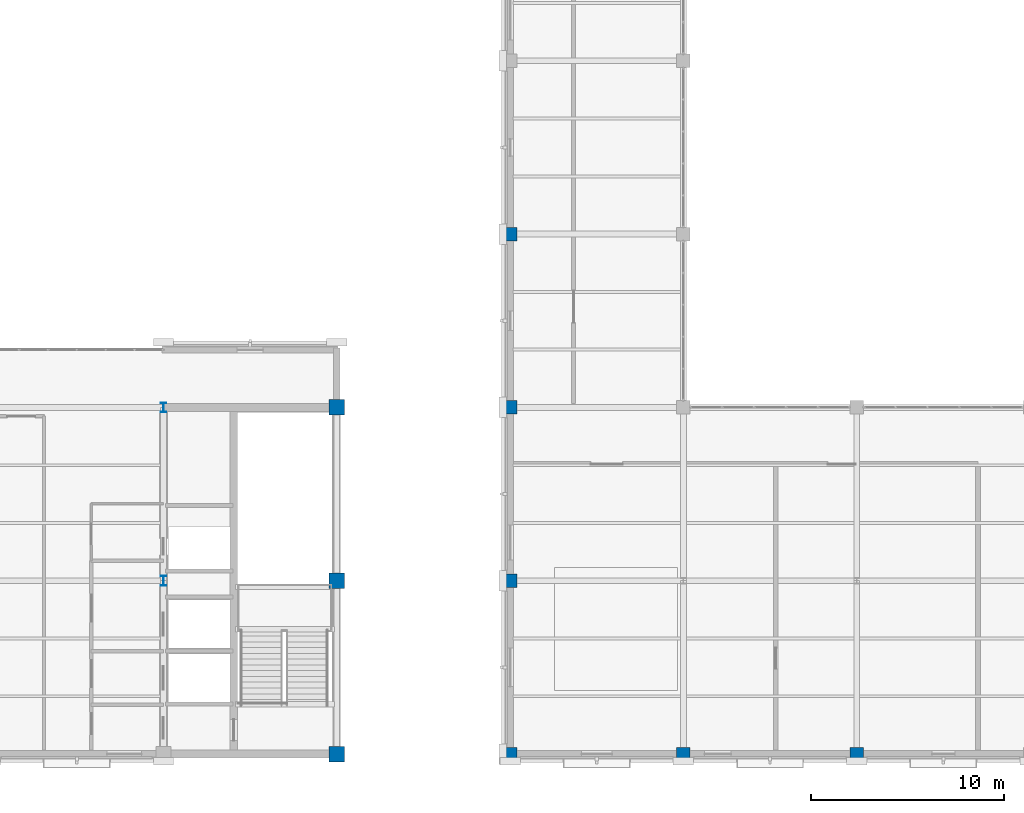
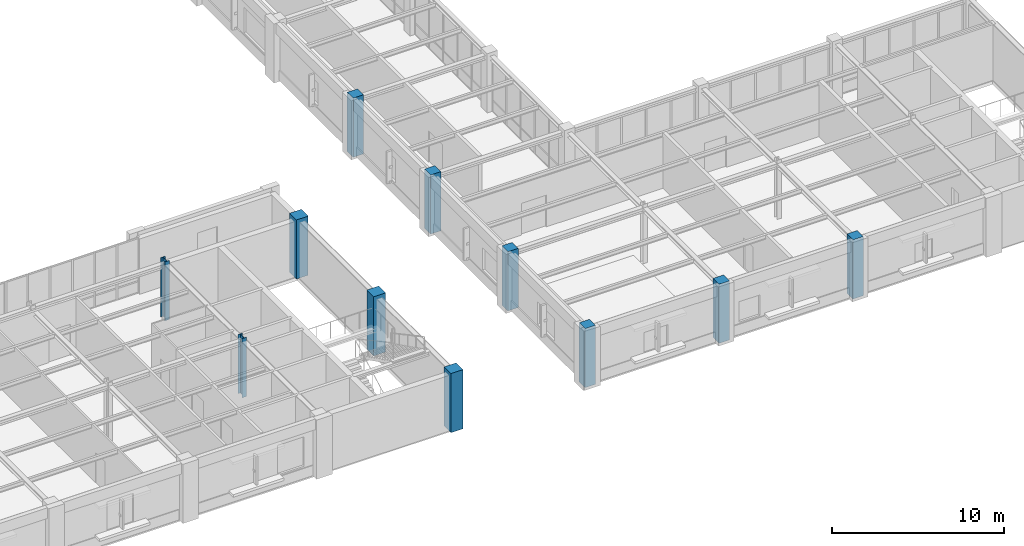
# One storey, part 5 of 108: 11 columns.
"""IFC4 building model written with IfcOpenShell, lengths in metres."""

import ifcopenshell
import ifcopenshell.guid

model = None  # the IFC model being written
_history = None  # IfcOwnerHistory: only IFC2X3 demands one
_inside = {}  # id of a spatial element -> (the spatial element, [elements in it])
_under = {}  # id of a project, library or spatial element -> (it, [spatial elements below it])
_declared = {}  # id of a project -> (the project, [libraries it declares])
_typed = {}  # id of a type object -> (the type object, [elements of that type])
_made_of = {}  # id of a material, layer set ... -> (it, [elements and type objects made of it])


def new_model(schema):
    """Start an empty IFC model of exactly this schema.

    Asked for "IFC4X3", IfcOpenShell would pick the latest addendum, in which some entities
    have other attributes; the version numbers below select the first issue.
    IFC2X3 requires an IfcOwnerHistory on every rooted entity: one is made here for all.
    """
    global model, _history
    if schema == "IFC4X3":
        model = ifcopenshell.file(schema_version=(4, 3, 0, 0))
    else:
        model = ifcopenshell.file(schema=schema)
    _inside.clear()
    _under.clear()
    _declared.clear()
    _typed.clear()
    _made_of.clear()
    _history = None
    if model.schema == "IFC2X3":
        org = make("IfcOrganization", Name="unknown")
        user = make(
            "IfcPersonAndOrganization",
            ThePerson=make("IfcPerson", FamilyName="unknown"),
            TheOrganization=org,
        )
        app = make(
            "IfcApplication",
            ApplicationDeveloper=org,
            Version="unknown",
            ApplicationFullName="unknown",
            ApplicationIdentifier="unknown",
        )
        _history = make(
            "IfcOwnerHistory",
            OwningUser=user,
            OwningApplication=app,
            ChangeAction="ADDED",
            CreationDate=0,
        )
    return model


def make(cls, **values):
    """One entity of the class cls with the attributes given. An attribute that is None is left unset."""
    return model.create_entity(
        cls, **{name: value for name, value in values.items() if value is not None}
    )


def rooted(cls, **values):
    """An entity with a GlobalId (a new one), such as an element, a storey or a relation."""
    return make(cls, GlobalId=ifcopenshell.guid.new(), OwnerHistory=_history, **values)


def si_unit(unit_type, name, prefix=None):
    """IfcSIUnit, for example si_unit("LENGTHUNIT", "METRE", prefix="MILLI")."""
    return make("IfcSIUnit", UnitType=unit_type, Prefix=prefix, Name=name)


def assignment(units):
    """IfcUnitAssignment: the units of a project."""
    return None if units is None else make("IfcUnitAssignment", Units=units)


def point(xyz):
    """IfcCartesianPoint."""
    return None if xyz is None else make("IfcCartesianPoint", Coordinates=xyz)


def direction(xyz):
    """IfcDirection."""
    return None if xyz is None else make("IfcDirection", DirectionRatios=xyz)


def frame(location, z_axis=None, x_axis=None):
    """IfcAxis2Placement3D, a coordinate frame: its origin and axes. An axis left out is left unset."""
    return make(
        "IfcAxis2Placement3D",
        Location=point(location),
        Axis=direction(z_axis),
        RefDirection=direction(x_axis),
    )


def frame_2d(location, x_axis=None):
    """IfcAxis2Placement2D, a coordinate frame in the plane: its origin and x axis."""
    return make(
        "IfcAxis2Placement2D", Location=point(location), RefDirection=direction(x_axis)
    )


def origin():
    """The frame at (0, 0, 0) with its axes left unset."""
    return frame((0.0, 0.0, 0.0))


def origin_2d():
    """The frame at (0, 0) in the plane with its x axis left unset."""
    return frame_2d((0.0, 0.0))


def place(relative_to, where):
    """IfcLocalPlacement: puts the frame where relative to a parent placement (None: the world)."""
    return make(
        "IfcLocalPlacement", PlacementRelTo=relative_to, RelativePlacement=where
    )


def context(
    kind, dimensions, precision=None, world=None, true_north=None, identifier=None
):
    """IfcGeometricRepresentationContext, for example the 3D "Model" context."""
    return make(
        "IfcGeometricRepresentationContext",
        ContextIdentifier=identifier,
        ContextType=kind,
        CoordinateSpaceDimension=dimensions,
        Precision=precision,
        WorldCoordinateSystem=world,
        TrueNorth=true_north,
    )


def subcontext(parent, identifier, kind, view, scale=None):
    """IfcGeometricRepresentationSubContext, for example "Body" below "Model"."""
    return make(
        "IfcGeometricRepresentationSubContext",
        ContextIdentifier=identifier,
        ContextType=kind,
        ParentContext=parent,
        TargetScale=scale,
        TargetView=view,
    )


def project(units=None, contexts=None):
    """IfcProject with its units and contexts."""
    return rooted(
        "IfcProject",
        Name="project",
        RepresentationContexts=contexts,
        UnitsInContext=assignment(units),
    )


def spatial(cls, under=None, at=None, **own):
    """A site, building, storey or space (cls), placed at a placement, below another one or the project."""
    s = rooted(cls, ObjectPlacement=at, **own)
    if under is not None:
        _under.setdefault(under.id(), (under, []))[1].append(s)
    return s


def profile(cls, at=None, kind="AREA", **sizes):
    """A parametric profile (cls). Its sizes go by their IFC names, for example OverallWidth=200.0."""
    return make(cls, ProfileType=kind, Position=at, **sizes)


def rectangle(**sizes):
    """IfcRectangleProfileDef."""
    return profile("IfcRectangleProfileDef", **sizes)


def i_section(**sizes):
    """IfcIShapeProfileDef."""
    return profile("IfcIShapeProfileDef", **sizes)


def extrude(swept, where, along, depth):
    """IfcExtrudedAreaSolid: the profile swept, set in the frame where, extruded along a direction by depth."""
    return make(
        "IfcExtrudedAreaSolid",
        SweptArea=swept,
        Position=where,
        ExtrudedDirection=direction(along),
        Depth=depth,
    )


def shape(context_of_items, identifier, shape_type, items):
    """IfcShapeRepresentation: the items that make up one representation, for example the "Body"."""
    return make(
        "IfcShapeRepresentation",
        ContextOfItems=context_of_items,
        RepresentationIdentifier=identifier,
        RepresentationType=shape_type,
        Items=items,
    )


def material(Name=None, Category=None):
    """IfcMaterial."""
    return make("IfcMaterial", Name=Name, Category=Category)


def material_profile(
    of_material, cross_section, Name=None, Category=None, Priority=None
):
    """IfcMaterialProfile: a cross section and its material."""
    return make(
        "IfcMaterialProfile",
        Name=Name,
        Material=of_material,
        Profile=cross_section,
        Priority=Priority,
        Category=Category,
    )


def profile_set(profiles, Name=None, composite=None):
    """IfcMaterialProfileSet."""
    return make(
        "IfcMaterialProfileSet",
        Name=Name,
        MaterialProfiles=profiles,
        CompositeProfile=composite,
    )


def made_of(thing, what):
    """Note that an element or type object is made of a material, layer set ...; save() writes the relation."""
    if what is not None:
        _made_of.setdefault(what.id(), (what, []))[1].append(thing)
    return thing


def type_object(cls, material=None, **own):
    """A type object (cls), such as IfcWallType, which elements share."""
    return made_of(rooted(cls, **own), material)


def element(
    cls,
    number,
    at=None,
    inside=None,
    cuts=None,
    type_object=None,
    material=None,
    context=None,
    identifier="Body",
    shape_type=None,
    held_by="IfcProductDefinitionShape",
    body=None,
    shapes=None,
    **own,
):
    """One element of the class cls, such as IfcWall. Its Tag is "e" and its number.

    at: its placement. inside: the storey or other place that contains it. cuts: it is an
    opening in that element (IfcRelVoidsElement). A single representation is given by context,
    identifier, shape_type and body (its items); several are given by shapes. held_by: the class
    of the entity that holds the representations. save() writes the other relations.
    """
    e = rooted(cls, Tag="e%d" % number, ObjectPlacement=at, **own)
    if body is not None:
        shapes = [shape(context, identifier, shape_type, body)]
    if shapes is not None:
        e.Representation = make(held_by, Representations=shapes)
    if inside is not None:
        _inside.setdefault(inside.id(), (inside, []))[1].append(e)
    if cuts is not None:
        rooted(
            "IfcRelVoidsElement", RelatingBuildingElement=cuts, RelatedOpeningElement=e
        )
    if type_object is not None:
        _typed.setdefault(type_object.id(), (type_object, []))[1].append(e)
    return made_of(e, material)


def aggregate(whole, parts):
    """IfcRelAggregates: a whole, such as a stair, and the parts it consists of."""
    return rooted("IfcRelAggregates", RelatingObject=whole, RelatedObjects=parts)


def save(model, path):
    """Write the relations noted so far, then the file.

    IfcRelAggregates (storeys below a building ...), IfcRelContainedInSpatialStructure (elements
    in a storey), IfcRelDefinesByType, IfcRelAssociatesMaterial and IfcRelDeclares: one each for
    every whole, place, type object, material and project.
    """
    for whole, parts in _under.values():
        aggregate(whole, parts)
    for where, things in _inside.values():
        rooted(
            "IfcRelContainedInSpatialStructure",
            RelatedElements=things,
            RelatingStructure=where,
        )
    for kind, things in _typed.values():
        rooted("IfcRelDefinesByType", RelatedObjects=things, RelatingType=kind)
    for what, things in _made_of.values():
        rooted("IfcRelAssociatesMaterial", RelatedObjects=things, RelatingMaterial=what)
    for by, libraries in _declared.values():
        rooted("IfcRelDeclares", RelatingContext=by, RelatedDefinitions=libraries)
    model.write(path)


model = new_model("IFC4")

# Units and contexts
model_context = context("Model", 3, precision=1e-05, world=origin(), true_north=direction((0.0, 1.0)))
body_context = subcontext(model_context, "Body", "Model", "MODEL_VIEW")
ifc_project = project(units=[si_unit("LENGTHUNIT", "METRE"), si_unit("AREAUNIT", "SQUARE_METRE"), si_unit("VOLUMEUNIT", "CUBIC_METRE"), si_unit("PLANEANGLEUNIT", "RADIAN"), si_unit("MASSUNIT", "GRAM", prefix="KILO")], contexts=[model_context])

# Site, building, storey
site_placement = place(None, origin())
site = spatial("IfcSite", under=ifc_project, at=site_placement, CompositionType="ELEMENT")
building_placement = place(site_placement, origin())
building = spatial("IfcBuilding", under=site, at=building_placement, Name="Lykobir Media Centre", CompositionType="ELEMENT")
storey_placement = place(building_placement, frame((0.0, 0.0, 15.0)))
storey = spatial("IfcBuildingStorey", under=building, at=storey_placement, Name="L03", CompositionType="ELEMENT", Elevation=15.0)

# Columns
ifc_material_1 = material(Name="Concrete C40/50", Category="concrete")
ifc_material_profile_1 = material_profile(ifc_material_1, rectangle(XDim=0.699951171875, YDim=0.699951171875, at=origin_2d()), Name="RC 700x700")
ifc_profile_set_1 = profile_set([ifc_material_profile_1], Name="Concrete C40/50")
column_type_1 = type_object("IfcColumnType", Name="RC-C700-E", PredefinedType="COLUMN", material=ifc_profile_set_1)
for number, where, z_axis, x_axis, name in (
    (1, (90.0, 0.0, 0.0), (0.0, 0.0, 1.0), (1.0, 0.0, 0.0), "Column COL-L03-0900-0000"),
    (2, (90.0, 9.0, 0.0), (0.0, 0.0, 1.0), (1.0, 0.0, 0.0), "Column COL-L03-0900-0090"),
    (3, (90.0, 18.0, 0.0), (0.0, 0.0, 1.0), (1.0, 0.0, 0.0), "Column COL-L03-0900-0180"),
    (4, (90.0, 27.0, 0.0), (0.0, 0.0, 1.0), (1.0, 0.0, 0.0), "Column COL-L03-0900-0270"),
    (5, (99.0, 0.0, 0.0), (0.0, 0.0, 1.0), (1.0, 0.0, 0.0), "Column COL-L03-0990-0000"),
    (6, (108.0, 0.0, 0.0), (0.0, 0.0, 1.0), (1.0, 0.0, 0.0), "Column COL-L03-1080-0000"),
):
    element("IfcColumn", number, at=place(storey_placement, frame(where, z_axis=z_axis, x_axis=x_axis)), inside=storey, type_object=column_type_1, Name=name, PredefinedType="COLUMN", context=body_context, shape_type="SweptSolid", body=[
        extrude(rectangle(XDim=0.699951171875, YDim=0.699951171875, at=origin_2d()), origin(), (0.0, 0.0, 1.0), 4.199951171875),
    ])
ifc_material_profile_2 = material_profile(ifc_material_1, rectangle(XDim=0.800048828125, YDim=0.800048828125, at=origin_2d()), Name="RC 800x800")
ifc_profile_set_2 = profile_set([ifc_material_profile_2], Name="Concrete C40/50")
column_type_2 = type_object("IfcColumnType", Name="RC-C800-E", PredefinedType="COLUMN", material=ifc_profile_set_2)
for number, where, z_axis, x_axis, name in (
    (7, (81.0, 0.0, 0.0), (0.0, 0.0, 1.0), (1.0, 0.0, 0.0), "Column COL-L03-0810-0000"),
    (8, (81.0, 9.0, 0.0), (0.0, 0.0, 1.0), (1.0, 0.0, 0.0), "Column COL-L03-0810-0090"),
    (9, (81.0, 18.0, 0.0), (0.0, 0.0, 1.0), (1.0, 0.0, 0.0), "Column COL-L03-0810-0180"),
):
    element("IfcColumn", number, at=place(storey_placement, frame(where, z_axis=z_axis, x_axis=x_axis)), inside=storey, type_object=column_type_2, Name=name, PredefinedType="COLUMN", context=body_context, shape_type="SweptSolid", body=[
        extrude(rectangle(XDim=0.800048828125, YDim=0.800048828125, at=origin_2d()), origin(), (0.0, 0.0, 1.0), 4.199951171875),
    ])
ifc_material_2 = material(Name="Steel S355", Category="steel")
ifc_material_profile_3 = material_profile(ifc_material_2, i_section(OverallWidth=0.300048828125, OverallDepth=0.5, WebThickness=0.014404296875, FlangeThickness=0.028076171875, at=origin_2d()), Name="HEB 500")
ifc_profile_set_3 = profile_set([ifc_material_profile_3], Name="Steel S355")
column_type_3 = type_object("IfcColumnType", Name="SC-HEB500", PredefinedType="COLUMN", material=ifc_profile_set_3)
for number, where, z_axis, x_axis, name in (
    (10, (72.0, 9.0, 0.0), (0.0, 0.0, 1.0), (1.0, 0.0, 0.0), "Column COL-L03-0720-0090"),
    (11, (72.0, 18.0, 0.0), (0.0, 0.0, 1.0), (1.0, 0.0, 0.0), "Column COL-L03-0720-0180"),
):
    element("IfcColumn", number, at=place(storey_placement, frame(where, z_axis=z_axis, x_axis=x_axis)), inside=storey, type_object=column_type_3, Name=name, PredefinedType="COLUMN", context=body_context, shape_type="SweptSolid", body=[
        extrude(i_section(OverallWidth=0.300048828125, OverallDepth=0.5, WebThickness=0.014404296875, FlangeThickness=0.028076171875, at=origin_2d()), origin(), (0.0, 0.0, 1.0), 4.199951171875),
    ])

save(model, "model.ifc")
